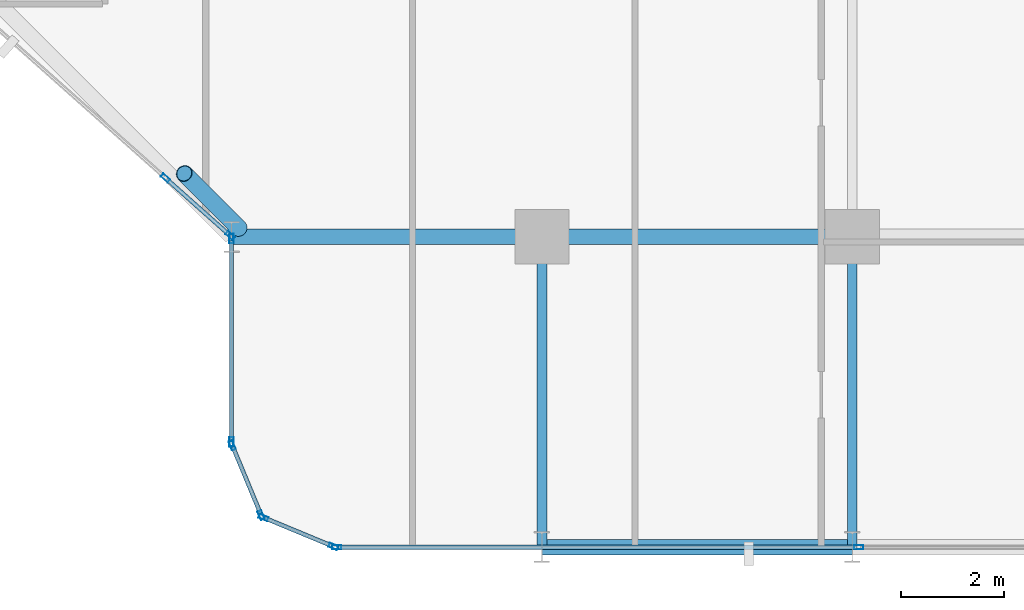
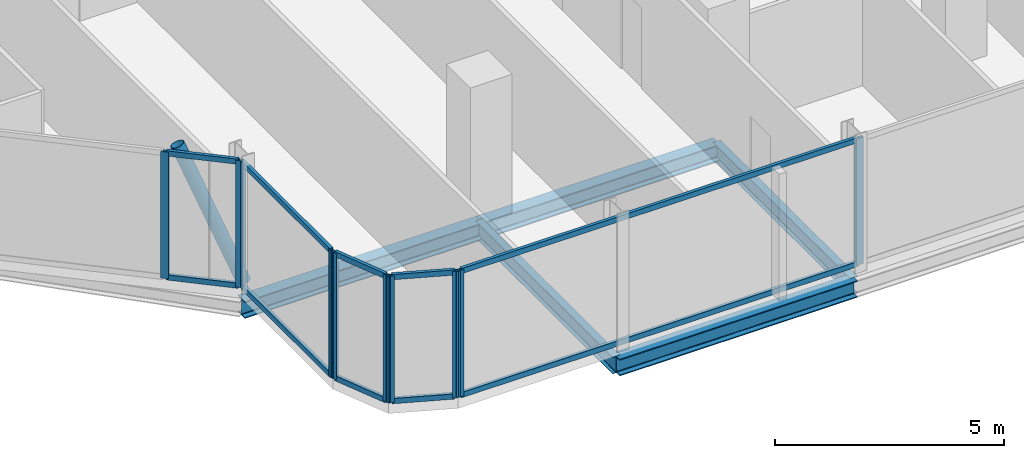
# One storey, part 4 of 30: 21 members, 5 beams, 5 elements without a shape of their own.
"""IFC4 building model written with IfcOpenShell, lengths in metres."""

from ifc_helpers import new_model, si_unit, direction, frame, origin, origin_2d, place, context, subcontext, project, spatial, hollow_rectangle, hollow_circle, i_section, extrude, material, layer, layer_set, material_profile, profile_set, type_object, element, aggregate, save


model = new_model("IFC4")

# Units and contexts
model_context = context("Model", 3, precision=1e-05, world=origin(), true_north=direction((0.0, 1.0)))
body_context = subcontext(model_context, "Body", "Model", "MODEL_VIEW")
ifc_project = project(units=[si_unit("LENGTHUNIT", "METRE"), si_unit("AREAUNIT", "SQUARE_METRE"), si_unit("VOLUMEUNIT", "CUBIC_METRE"), si_unit("PLANEANGLEUNIT", "RADIAN"), si_unit("MASSUNIT", "GRAM", prefix="KILO")], contexts=[model_context])

# Site, building, storey
site_placement = place(None, origin())
site = spatial("IfcSite", under=ifc_project, at=site_placement, CompositionType="ELEMENT")
building_placement = place(site_placement, origin())
building = spatial("IfcBuilding", under=site, at=building_placement, Name="Keshet Zoharim Tower", CompositionType="ELEMENT")
storey_placement = place(building_placement, frame((0.0, 0.0, 116.800048828125)))
storey = spatial("IfcBuildingStorey", under=building, at=storey_placement, Name="L28", CompositionType="ELEMENT", Elevation=116.800048828125)

# Beams
ifc_material_1 = material(Name="Steel S355", Category="steel")
ifc_material_profile_1 = material_profile(ifc_material_1, i_section(OverallWidth=0.18994140625, OverallDepth=0.449951171875, WebThickness=0.009521484375, FlangeThickness=0.0146484375, FilletRadius=0.02099609375, at=origin_2d()), Name="IPE450")
ifc_profile_set_1 = profile_set([ifc_material_profile_1], Name="Steel S355")
beam_type_1 = type_object("IfcBeamType", Name="BM-PRI-IP450", PredefinedType="BEAM", material=ifc_profile_set_1)
for number, where, z_axis, x_axis, name in (
    (1, (27.0, 0.699951171875, -0.5400390625), (0.0, 1.0, 0.0), (-1.0, 0.0, 0.0), "L28 Primary Girder Y-004"),
    (2, (33.0, 0.699951171875, -0.5400390625), (0.0, 1.0, 0.0), (-1.0, 0.0, 0.0), "L28 Primary Girder Y-005"),
):
    element("IfcBeam", number, at=place(storey_placement, frame(where, z_axis=z_axis, x_axis=x_axis)), inside=storey, type_object=beam_type_1, Name=name, PredefinedType="BEAM", context=body_context, shape_type="SweptSolid", body=[
        extrude(i_section(OverallWidth=0.18994140625, OverallDepth=0.449951171875, WebThickness=0.009521484375, FlangeThickness=0.0146484375, FilletRadius=0.02099609375, at=origin_2d()), origin(), (0.0, 0.0, 1.0), 6.0),
    ])
ifc_material_profile_2 = material_profile(ifc_material_1, i_section(OverallWidth=0.300048828125, OverallDepth=0.449951171875, WebThickness=0.013916015625, FlangeThickness=0.02587890625, FilletRadius=0.027099609375, at=origin_2d()), Name="HEB450")
ifc_profile_set_2 = profile_set([ifc_material_profile_2], Name="Steel S355")
beam_type_2 = type_object("IfcBeamType", Name="BM-WEB-HB450", PredefinedType="BEAM", material=ifc_profile_set_2)
for number, where, z_axis, x_axis, name in (
    (3, (27.0, 0.699951171875, -0.5400390625), (1.0, 0.0, 0.0), (0.0, 1.0, 0.0), "L28 Primary Girder X-001"),
    (4, (21.0, 6.699951171875, -0.5400390625), (1.0, 0.0, 0.0), (0.0, 1.0, 0.0), "L28 Primary Girder X-005"),
    (5, (27.0, 6.699951171875, -0.5400390625), (1.0, 0.0, 0.0), (0.0, 1.0, 0.0), "L28 Primary Girder X-006"),
):
    element("IfcBeam", number, at=place(storey_placement, frame(where, z_axis=z_axis, x_axis=x_axis)), inside=storey, type_object=beam_type_2, Name=name, PredefinedType="BEAM", context=body_context, shape_type="SweptSolid", body=[
        extrude(i_section(OverallWidth=0.300048828125, OverallDepth=0.449951171875, WebThickness=0.013916015625, FlangeThickness=0.02587890625, FilletRadius=0.027099609375, at=origin_2d()), origin(), (0.0, 0.0, 1.0), 6.0),
    ])

# Curtain wall, members
ifc_material_2 = material(Name="Aluminium 6063-T6", Category="aluminium")
ifc_layer = layer(ifc_material_2, 0.159912109375)
ifc_layer_set = layer_set([ifc_layer], Name="Aluminium 6063-T6")
curtain_wall_type = type_object("IfcCurtainWallType", Name="CW-SYS-03", PredefinedType="NOTDEFINED", material=ifc_layer_set)
curtain_wall_1_placement = place(storey_placement, origin())
curtain_wall_1 = element("IfcCurtainWall", 6, at=curtain_wall_1_placement, inside=storey, type_object=curtain_wall_type, Name="L28 Unitised Curtain Wall 03 Part 3", PredefinedType="NOTDEFINED")
ifc_material_profile_3 = material_profile(ifc_material_2, hollow_rectangle(XDim=0.080078125, YDim=0.179931640625, WallThickness=0.00439453125, at=origin_2d()), Name="MUL-80x180")
ifc_profile_set_3 = profile_set([ifc_material_profile_3], Name="Aluminium 6063-T6")
member_type_1 = type_object("IfcMemberType", Name="CWM-M18", PredefinedType="MULLION", material=ifc_profile_set_3)
member_1_placement = place(storey_placement, frame((33.1259765625, 0.699951171875, 0.0), z_axis=(0.0, 0.0, 1.0), x_axis=(0.0, -1.0, 0.0)))
member_1 = element("IfcMember", 7, at=member_1_placement, type_object=member_type_1, Name="CW-03 mullion 2", PredefinedType="MULLION", context=body_context, shape_type="SweptSolid", body=[
    extrude(hollow_rectangle(XDim=0.080078125, YDim=0.179931640625, WallThickness=0.00439453125, at=origin_2d()), origin(), (0.0, 0.0, 1.0), 3.3798828125),
])
member_2_placement = place(storey_placement, frame((23.034912109375, 0.699951171875, 0.0), z_axis=(0.0, 0.0, 1.0), x_axis=(0.0, -1.0, 0.0)))
member_2 = element("IfcMember", 8, at=member_2_placement, type_object=member_type_1, Name="CW-03 mullion 3", PredefinedType="MULLION", context=body_context, shape_type="SweptSolid", body=[
    extrude(hollow_rectangle(XDim=0.080078125, YDim=0.179931640625, WallThickness=0.00439453125, at=origin_2d()), origin(), (0.0, 0.0, 1.0), 3.3798828125),
])

curtain_wall_2_placement = place(storey_placement, origin())
curtain_wall_2 = element("IfcCurtainWall", 9, at=curtain_wall_2_placement, inside=storey, type_object=curtain_wall_type, Name="L28 Unitised Curtain Wall 04", PredefinedType="NOTDEFINED")
member_3_placement = place(storey_placement, frame((22.9677734375, 0.71337890625, 0.0), z_axis=(0.0, 0.0, 1.0), x_axis=(-0.382851849847, -0.92380975372, 0.0)))
member_3 = element("IfcMember", 10, at=member_3_placement, type_object=member_type_1, Name="CW-03 mullion 1", PredefinedType="MULLION", context=body_context, shape_type="SweptSolid", body=[
    extrude(hollow_rectangle(XDim=0.080078125, YDim=0.179931640625, WallThickness=0.00439453125, at=origin_2d()), origin(), (0.0, 0.0, 1.0), 3.3798828125),
])
member_4_placement = place(storey_placement, frame((21.618408203125, 1.272705078125, 0.0), z_axis=(0.0, 0.0, 1.0), x_axis=(-0.382851849847, -0.92380975372, 0.0)))
member_4 = element("IfcMember", 11, at=member_4_placement, type_object=member_type_1, Name="CW-03 mullion 2", PredefinedType="MULLION", context=body_context, shape_type="SweptSolid", body=[
    extrude(hollow_rectangle(XDim=0.080078125, YDim=0.179931640625, WallThickness=0.00439453125, at=origin_2d()), origin(), (0.0, 0.0, 1.0), 3.3798828125),
])

curtain_wall_3_placement = place(storey_placement, origin())
curtain_wall_3 = element("IfcCurtainWall", 12, at=curtain_wall_3_placement, inside=storey, type_object=curtain_wall_type, Name="L28 Unitised Curtain Wall 05", PredefinedType="NOTDEFINED")
member_5_placement = place(storey_placement, frame((21.572509765625, 1.318359375, 0.0), z_axis=(0.0, 0.0, 1.0), x_axis=(-0.92380975372, -0.382851849847, 0.0)))
member_5 = element("IfcMember", 13, at=member_5_placement, type_object=member_type_1, Name="CW-03 mullion 1", PredefinedType="MULLION", context=body_context, shape_type="SweptSolid", body=[
    extrude(hollow_rectangle(XDim=0.080078125, YDim=0.179931640625, WallThickness=0.00439453125, at=origin_2d()), origin(), (0.0, 0.0, 1.0), 3.3798828125),
])
member_6_placement = place(storey_placement, frame((21.013427734375, 2.667724609375, 0.0), z_axis=(0.0, 0.0, 1.0), x_axis=(-0.92380975372, -0.382851849847, 0.0)))
member_6 = element("IfcMember", 14, at=member_6_placement, type_object=member_type_1, Name="CW-03 mullion 2", PredefinedType="MULLION", context=body_context, shape_type="SweptSolid", body=[
    extrude(hollow_rectangle(XDim=0.080078125, YDim=0.179931640625, WallThickness=0.00439453125, at=origin_2d()), origin(), (0.0, 0.0, 1.0), 3.3798828125),
])

curtain_wall_4_placement = place(storey_placement, origin())
curtain_wall_4 = element("IfcCurtainWall", 15, at=curtain_wall_4_placement, inside=storey, type_object=curtain_wall_type, Name="L28 Unitised Curtain Wall 06", PredefinedType="NOTDEFINED")
member_7_placement = place(storey_placement, frame((21.0, 2.735107421875, 0.0), z_axis=(0.0, 0.0, 1.0), x_axis=(-1.0, 0.0, 0.0)))
member_7 = element("IfcMember", 16, at=member_7_placement, type_object=member_type_1, Name="CW-03 mullion 1", PredefinedType="MULLION", context=body_context, shape_type="SweptSolid", body=[
    extrude(hollow_rectangle(XDim=0.080078125, YDim=0.179931640625, WallThickness=0.00439453125, at=origin_2d()), origin(), (0.0, 0.0, 1.0), 3.3798828125),
])
member_8_placement = place(storey_placement, frame((21.0, 6.6650390625, 0.0), z_axis=(0.0, 0.0, 1.0), x_axis=(-1.0, 0.0, 0.0)))
member_8 = element("IfcMember", 17, at=member_8_placement, type_object=member_type_1, Name="CW-03 mullion 2", PredefinedType="MULLION", context=body_context, shape_type="SweptSolid", body=[
    extrude(hollow_rectangle(XDim=0.080078125, YDim=0.179931640625, WallThickness=0.00439453125, at=origin_2d()), origin(), (0.0, 0.0, 1.0), 3.3798828125),
])

curtain_wall_5_placement = place(storey_placement, origin())
curtain_wall_5 = element("IfcCurtainWall", 18, at=curtain_wall_5_placement, inside=storey, type_object=curtain_wall_type, Name="L28 Unitised Curtain Wall 07", PredefinedType="NOTDEFINED")
member_9_placement = place(storey_placement, frame((20.973876953125, 6.72314453125, 0.0), z_axis=(0.0, 0.0, 1.0), x_axis=(-0.664356727928, -0.747415639425, 0.0)))
member_9 = element("IfcMember", 19, at=member_9_placement, type_object=member_type_1, Name="CW-03 mullion 1", PredefinedType="MULLION", context=body_context, shape_type="SweptSolid", body=[
    extrude(hollow_rectangle(XDim=0.080078125, YDim=0.179931640625, WallThickness=0.00439453125, at=origin_2d()), origin(), (0.0, 0.0, 1.0), 3.3798828125),
])
member_10_placement = place(storey_placement, frame((19.721435546875, 7.83642578125, 0.0), z_axis=(0.0, 0.0, 1.0), x_axis=(-0.664356727928, -0.747415639425, 0.0)))
member_10 = element("IfcMember", 20, at=member_10_placement, type_object=member_type_1, Name="CW-03 mullion 2", PredefinedType="MULLION", context=body_context, shape_type="SweptSolid", body=[
    extrude(hollow_rectangle(XDim=0.080078125, YDim=0.179931640625, WallThickness=0.00439453125, at=origin_2d()), origin(), (0.0, 0.0, 1.0), 3.3798828125),
])

# Member
ifc_material_profile_4 = material_profile(ifc_material_2, hollow_rectangle(XDim=0.080078125, YDim=0.139892578125, WallThickness=0.00390625, at=origin_2d()), Name="TRN-80x140")
ifc_profile_set_4 = profile_set([ifc_material_profile_4], Name="Aluminium 6063-T6")
member_type_2 = type_object("IfcMemberType", Name="CWT-T14", PredefinedType="USERDEFINED", material=ifc_profile_set_4)
member_11_placement = place(storey_placement, frame((33.091064453125, 0.699951171875, 0.034912109375), z_axis=(-1.0, 0.0, 0.0), x_axis=(0.0, -1.0, 0.0)))
member_11 = element("IfcMember", 21, at=member_11_placement, type_object=member_type_2, Name="CW-03 transom 2.1", ObjectType="TRANSOM", PredefinedType="USERDEFINED", context=body_context, shape_type="SweptSolid", body=[
    extrude(hollow_rectangle(XDim=0.080078125, YDim=0.139892578125, WallThickness=0.00390625, at=origin_2d()), origin(), (0.0, 0.0, 1.0), 10.02099609375),
])

member_12_placement = place(storey_placement, frame((33.091064453125, 0.699951171875, 3.344970703125), z_axis=(-1.0, 0.0, 0.0), x_axis=(0.0, -1.0, 0.0)))
member_12 = element("IfcMember", 22, at=member_12_placement, type_object=member_type_2, Name="CW-03 transom 2.2", ObjectType="TRANSOM", PredefinedType="USERDEFINED", context=body_context, shape_type="SweptSolid", body=[
    extrude(hollow_rectangle(XDim=0.080078125, YDim=0.139892578125, WallThickness=0.00390625, at=origin_2d()), origin(), (0.0, 0.0, 1.0), 10.02099609375),
])

aggregate(curtain_wall_1, [member_1, member_2, member_11, member_12])

member_13_placement = place(storey_placement, frame((22.935302734375, 0.726806640625, 0.034912109375), z_axis=(-0.92379209995, 0.382894445076, 0.0), x_axis=(-0.382894445076, -0.92379209995, 0.0)))
member_13 = element("IfcMember", 23, at=member_13_placement, type_object=member_type_2, Name="CW-03 transom 1.1", ObjectType="TRANSOM", PredefinedType="USERDEFINED", context=body_context, shape_type="SweptSolid", body=[
    extrude(hollow_rectangle(XDim=0.080078125, YDim=0.139892578125, WallThickness=0.00390625, at=origin_2d()), origin(), (0.0, 0.0, 1.0), 1.390625),
])

member_14_placement = place(storey_placement, frame((22.935302734375, 0.726806640625, 3.344970703125), z_axis=(-0.92379209995, 0.382894445076, 0.0), x_axis=(-0.382894445076, -0.92379209995, 0.0)))
member_14 = element("IfcMember", 24, at=member_14_placement, type_object=member_type_2, Name="CW-03 transom 1.2", ObjectType="TRANSOM", PredefinedType="USERDEFINED", context=body_context, shape_type="SweptSolid", body=[
    extrude(hollow_rectangle(XDim=0.080078125, YDim=0.139892578125, WallThickness=0.00390625, at=origin_2d()), origin(), (0.0, 0.0, 1.0), 1.390625),
])

aggregate(curtain_wall_2, [member_3, member_4, member_13, member_14])

member_15_placement = place(storey_placement, frame((21.55908203125, 1.3505859375, 0.034912109375), z_axis=(-0.382744609247, 0.923854189844, 0.0), x_axis=(-0.923854189844, -0.382744609247, 0.0)))
member_15 = element("IfcMember", 25, at=member_15_placement, type_object=member_type_2, Name="CW-03 transom 1.1", ObjectType="TRANSOM", PredefinedType="USERDEFINED", context=body_context, shape_type="SweptSolid", body=[
    extrude(hollow_rectangle(XDim=0.080078125, YDim=0.139892578125, WallThickness=0.00390625, at=origin_2d()), origin(), (0.0, 0.0, 1.0), 1.390625),
])

member_16_placement = place(storey_placement, frame((21.55908203125, 1.3505859375, 3.344970703125), z_axis=(-0.382744609247, 0.923854189844, 0.0), x_axis=(-0.923854189844, -0.382744609247, 0.0)))
member_16 = element("IfcMember", 26, at=member_16_placement, type_object=member_type_2, Name="CW-03 transom 1.2", ObjectType="TRANSOM", PredefinedType="USERDEFINED", context=body_context, shape_type="SweptSolid", body=[
    extrude(hollow_rectangle(XDim=0.080078125, YDim=0.139892578125, WallThickness=0.00390625, at=origin_2d()), origin(), (0.0, 0.0, 1.0), 1.390625),
])

aggregate(curtain_wall_3, [member_5, member_6, member_15, member_16])

member_17_placement = place(storey_placement, frame((21.0, 2.77001953125, 0.034912109375), z_axis=(0.0, 1.0, 0.0), x_axis=(-1.0, 0.0, 0.0)))
member_17 = element("IfcMember", 27, at=member_17_placement, type_object=member_type_2, Name="CW-03 transom 1.1", ObjectType="TRANSOM", PredefinedType="USERDEFINED", context=body_context, shape_type="SweptSolid", body=[
    extrude(hollow_rectangle(XDim=0.080078125, YDim=0.139892578125, WallThickness=0.00390625, at=origin_2d()), origin(), (0.0, 0.0, 1.0), 3.85986328125),
])

member_18_placement = place(storey_placement, frame((21.0, 2.77001953125, 3.344970703125), z_axis=(0.0, 1.0, 0.0), x_axis=(-1.0, 0.0, 0.0)))
member_18 = element("IfcMember", 28, at=member_18_placement, type_object=member_type_2, Name="CW-03 transom 1.2", ObjectType="TRANSOM", PredefinedType="USERDEFINED", context=body_context, shape_type="SweptSolid", body=[
    extrude(hollow_rectangle(XDim=0.080078125, YDim=0.139892578125, WallThickness=0.00390625, at=origin_2d()), origin(), (0.0, 0.0, 1.0), 3.85986328125),
])

aggregate(curtain_wall_4, [member_7, member_8, member_17, member_18])

member_19_placement = place(storey_placement, frame((20.94775390625, 6.74658203125, 0.034912109375), z_axis=(-0.747468037756, 0.664297773994, 0.0), x_axis=(-0.664297773994, -0.747468037756, 0.0)))
member_19 = element("IfcMember", 29, at=member_19_placement, type_object=member_type_2, Name="CW-03 transom 1.1", ObjectType="TRANSOM", PredefinedType="USERDEFINED", context=body_context, shape_type="SweptSolid", body=[
    extrude(hollow_rectangle(XDim=0.080078125, YDim=0.139892578125, WallThickness=0.00390625, at=origin_2d()), origin(), (0.0, 0.0, 1.0), 1.605712890625),
])

member_20_placement = place(storey_placement, frame((20.94775390625, 6.74658203125, 3.344970703125), z_axis=(-0.747468037756, 0.664297773994, 0.0), x_axis=(-0.664297773994, -0.747468037756, 0.0)))
member_20 = element("IfcMember", 30, at=member_20_placement, type_object=member_type_2, Name="CW-03 transom 1.2", ObjectType="TRANSOM", PredefinedType="USERDEFINED", context=body_context, shape_type="SweptSolid", body=[
    extrude(hollow_rectangle(XDim=0.080078125, YDim=0.139892578125, WallThickness=0.00390625, at=origin_2d()), origin(), (0.0, 0.0, 1.0), 1.605712890625),
])

aggregate(curtain_wall_5, [member_9, member_10, member_19, member_20])

ifc_material_profile_5 = material_profile(ifc_material_1, hollow_circle(Radius=0.161865234375, WallThickness=0.012451171875, at=origin_2d()), Name="CHS323x12.5")
ifc_profile_set_5 = profile_set([ifc_material_profile_5], Name="Steel S355")
member_type_3 = type_object("IfcMemberType", Name="MB-BR-C323", PredefinedType="BRACE", material=ifc_profile_set_5)
member_21_placement = place(storey_placement, frame((21.14599609375, 6.864013671875, 0.0), z_axis=(-0.286921403187, 0.286921403187, 0.913976048256), x_axis=(-0.707106781187, -0.707106781187, 0.0)))
element("IfcMember", 31, at=member_21_placement, inside=storey, type_object=member_type_3, Name="L28 Perimeter Tube Brace 01", PredefinedType="BRACE", context=body_context, shape_type="SweptSolid", body=[
    extrude(hollow_circle(Radius=0.161865234375, WallThickness=0.012451171875, at=origin_2d()), origin(), (0.0, 0.0, 1.0), 3.697998046875),
])

save(model, "model.ifc")
